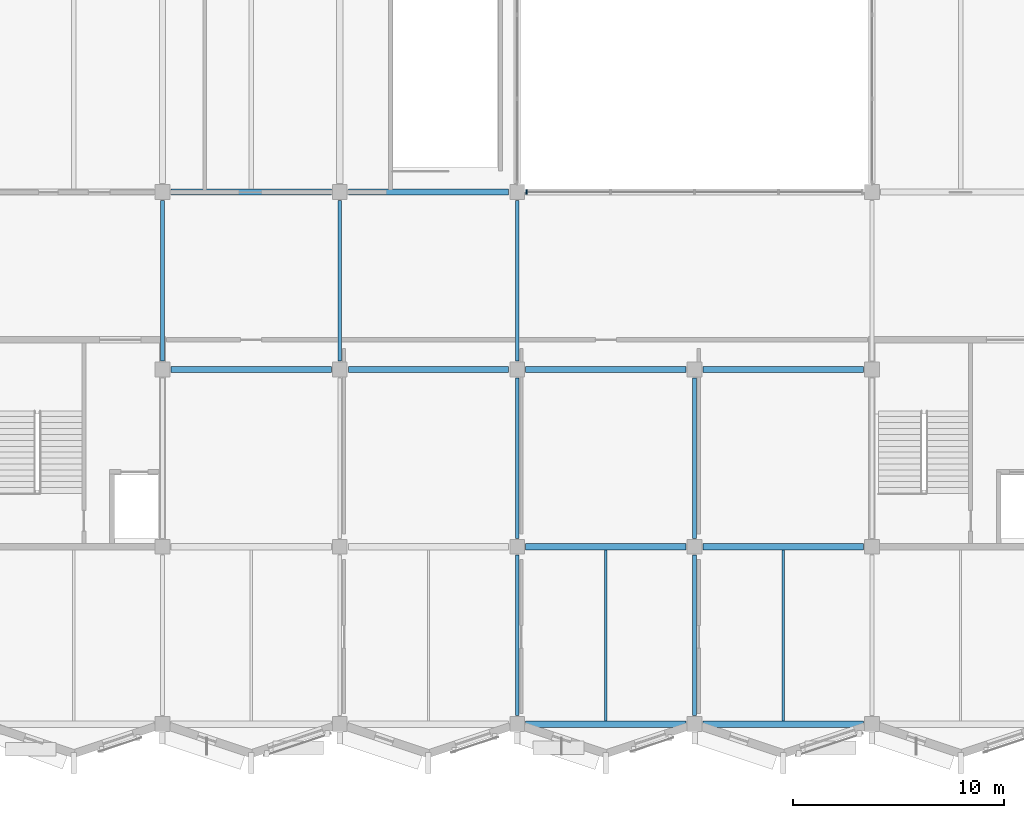
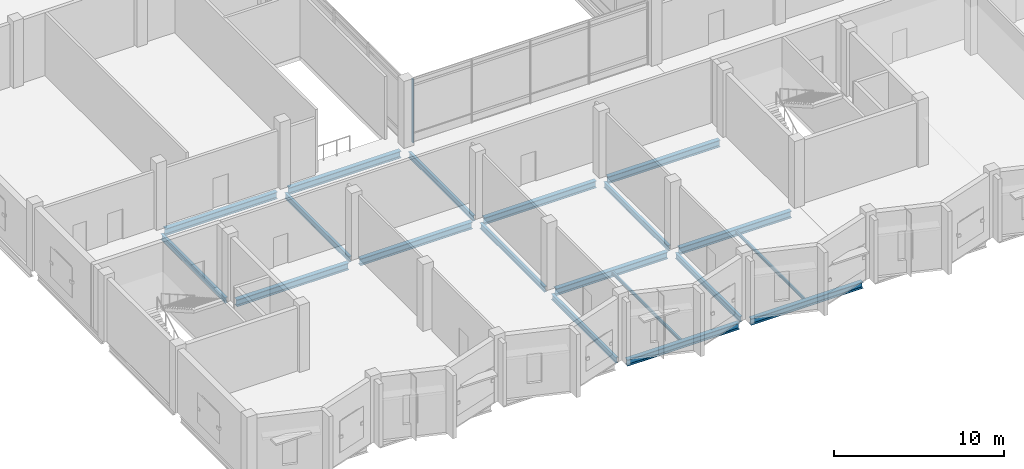
# One storey, part 2 of 110: 19 beams, 1 member, 1 element without a shape of its own.
"""IFC4 building model written with IfcOpenShell, lengths in metres."""

from ifc_helpers import new_model, si_unit, direction, frame, origin, origin_2d, place, context, subcontext, project, spatial, rectangle, i_section, extrude, material, layer, layer_set, material_profile, profile_set, type_object, element, aggregate, save


model = new_model("IFC4")

# Units and contexts
model_context = context("Model", 3, precision=1e-05, world=origin(), true_north=direction((0.0, 1.0)))
body_context = subcontext(model_context, "Body", "Model", "MODEL_VIEW")
ifc_project = project(units=[si_unit("LENGTHUNIT", "METRE"), si_unit("AREAUNIT", "SQUARE_METRE"), si_unit("VOLUMEUNIT", "CUBIC_METRE"), si_unit("PLANEANGLEUNIT", "RADIAN"), si_unit("MASSUNIT", "GRAM", prefix="KILO")], contexts=[model_context])

# Site, building, storey
site_placement = place(None, origin())
site = spatial("IfcSite", under=ifc_project, at=site_placement, CompositionType="ELEMENT")
building_placement = place(site_placement, origin())
building = spatial("IfcBuilding", under=site, at=building_placement, Name="Qawsi Khor Wholesale Market", CompositionType="ELEMENT")
storey_placement = place(building_placement, frame((0.0, 0.0, 11.39990234375)))
storey = spatial("IfcBuildingStorey", under=building, at=storey_placement, Name="L02", CompositionType="ELEMENT", Elevation=11.39990234375)

# Curtain wall, member
ifc_material_1 = material(Name="Aluminium Anodised Bronze", Category="aluminium")
ifc_layer = layer(ifc_material_1, 0.179931640625, Name="Aluminium Anodised Bronze")
ifc_layer_set = layer_set([ifc_layer], Name="Aluminium Anodised Bronze")
curtain_wall_type = type_object("IfcCurtainWallType", Name="Atrium Full-Height Curtain Wall CW-02", PredefinedType="NOTDEFINED", material=ifc_layer_set)
curtain_wall_placement = place(storey_placement, origin())
curtain_wall = element("IfcCurtainWall", 1, at=curtain_wall_placement, inside=storey, type_object=curtain_wall_type, Name="Curtain wall CW-CW-02-L02-021", PredefinedType="NOTDEFINED")
ifc_material_profile_1 = material_profile(ifc_material_1, rectangle(XDim=0.070068359375, YDim=0.199951171875, at=origin_2d()), Name="ALU MULLION 70x200")
ifc_profile_set_1 = profile_set([ifc_material_profile_1], Name="Aluminium Anodised Bronze")
member_type = type_object("IfcMemberType", Name="Curtain Wall Mullion CW-02 ALU MULLION 70x200", PredefinedType="MULLION", material=ifc_profile_set_1)
member_placement = place(storey_placement, frame((50.844970703125, 25.199951171875, -0.02001953125), z_axis=(0.0, 0.0, 1.0), x_axis=(1.0, 0.0, 0.0)))
member = element("IfcMember", 2, at=member_placement, type_object=member_type, Name="Mullion CW-CW-02-L02-021-M00", PredefinedType="MULLION", context=body_context, shape_type="SweptSolid", body=[
    extrude(rectangle(XDim=0.070068359375, YDim=0.199951171875, at=origin_2d()), origin(), (0.0, 0.0, 1.0), 4.5400390625),
])
aggregate(curtain_wall, [member])

# Beams
ifc_material_2 = material(Name="Steel S355", Category="steel")
ifc_material_profile_2 = material_profile(ifc_material_2, i_section(OverallWidth=0.300048828125, OverallDepth=0.449951171875, WebThickness=0.013916015625, FlangeThickness=0.02587890625, FilletRadius=0.027099609375, at=origin_2d()), Name="HEB 450")
ifc_profile_set_2 = profile_set([ifc_material_profile_2], Name="Steel S355")
beam_type_1 = type_object("IfcBeamType", Name="Heavy Edge Girder HEB 450", PredefinedType="BEAM", material=ifc_profile_set_2)
beam_1_placement = place(storey_placement, frame((50.800048828125, 0.0, -0.5048828125), z_axis=(1.0, 0.0, 0.0), x_axis=(0.0, 1.0, 0.0)))
element("IfcBeam", 3, at=beam_1_placement, inside=storey, type_object=beam_type_1, Name="BM-X-L02-06_+00", PredefinedType="BEAM", context=body_context, shape_type="SweptSolid", body=[
    extrude(i_section(OverallWidth=0.300048828125, OverallDepth=0.449951171875, WebThickness=0.013916015625, FlangeThickness=0.02587890625, FilletRadius=0.027099609375, at=origin_2d()), origin(), (0.0, 0.0, 1.0), 7.599853515625),
])
beam_2_placement = place(storey_placement, frame((59.199951171875, 0.0, -0.5048828125), z_axis=(1.0, 0.0, 0.0), x_axis=(0.0, 1.0, 0.0)))
element("IfcBeam", 4, at=beam_2_placement, inside=storey, type_object=beam_type_1, Name="BM-X-L02-07_+00", PredefinedType="BEAM", context=body_context, shape_type="SweptSolid", body=[
    extrude(i_section(OverallWidth=0.300048828125, OverallDepth=0.449951171875, WebThickness=0.013916015625, FlangeThickness=0.02587890625, FilletRadius=0.027099609375, at=origin_2d()), origin(), (0.0, 0.0, 1.0), 7.60009765625),
])
ifc_material_profile_3 = material_profile(ifc_material_2, i_section(OverallWidth=0.300048828125, OverallDepth=0.489990234375, WebThickness=0.011962890625, FlangeThickness=0.02294921875, FilletRadius=0.027099609375, at=origin_2d()), Name="HEA 500")
ifc_profile_set_3 = profile_set([ifc_material_profile_3], Name="Steel S355")
beam_type_2 = type_object("IfcBeamType", Name="Primary Girder HEA 500", PredefinedType="BEAM", material=ifc_profile_set_3)
for number, where, z_axis, x_axis, name in (
    (5, (34.0, 16.800048828125, -0.52490234375), (1.0, 0.0, 0.0), (0.0, 1.0, 0.0), "BM-X-L02-04_+02"),
    (6, (34.0, 25.199951171875, -0.52490234375), (1.0, 0.0, 0.0), (0.0, 1.0, 0.0), "BM-X-L02-04_+03"),
    (7, (42.39990234375, 16.800048828125, -0.52490234375), (1.0, 0.0, 0.0), (0.0, 1.0, 0.0), "BM-X-L02-05_+02"),
    (8, (42.39990234375, 25.199951171875, -0.52490234375), (1.0, 0.0, 0.0), (0.0, 1.0, 0.0), "BM-X-L02-05_+03"),
):
    element("IfcBeam", number, at=place(storey_placement, frame(where, z_axis=z_axis, x_axis=x_axis)), inside=storey, type_object=beam_type_2, Name=name, PredefinedType="BEAM", context=body_context, shape_type="SweptSolid", body=[
        extrude(i_section(OverallWidth=0.300048828125, OverallDepth=0.489990234375, WebThickness=0.011962890625, FlangeThickness=0.02294921875, FilletRadius=0.027099609375, at=origin_2d()), origin(), (0.0, 0.0, 1.0), 7.60009765625),
    ])
for number, where, z_axis, x_axis, name in (
    (9, (50.800048828125, 8.39990234375, -0.52490234375), (1.0, 0.0, 0.0), (0.0, 1.0, 0.0), "BM-X-L02-06_+01"),
    (10, (50.800048828125, 16.800048828125, -0.52490234375), (1.0, 0.0, 0.0), (0.0, 1.0, 0.0), "BM-X-L02-06_+02"),
):
    element("IfcBeam", number, at=place(storey_placement, frame(where, z_axis=z_axis, x_axis=x_axis)), inside=storey, type_object=beam_type_2, Name=name, PredefinedType="BEAM", context=body_context, shape_type="SweptSolid", body=[
        extrude(i_section(OverallWidth=0.300048828125, OverallDepth=0.489990234375, WebThickness=0.011962890625, FlangeThickness=0.02294921875, FilletRadius=0.027099609375, at=origin_2d()), origin(), (0.0, 0.0, 1.0), 7.599853515625),
    ])
for number, where, z_axis, x_axis, name in (
    (11, (59.199951171875, 8.39990234375, -0.52490234375), (1.0, 0.0, 0.0), (0.0, 1.0, 0.0), "BM-X-L02-07_+01"),
    (12, (59.199951171875, 16.800048828125, -0.52490234375), (1.0, 0.0, 0.0), (0.0, 1.0, 0.0), "BM-X-L02-07_+02"),
):
    element("IfcBeam", number, at=place(storey_placement, frame(where, z_axis=z_axis, x_axis=x_axis)), inside=storey, type_object=beam_type_2, Name=name, PredefinedType="BEAM", context=body_context, shape_type="SweptSolid", body=[
        extrude(i_section(OverallWidth=0.300048828125, OverallDepth=0.489990234375, WebThickness=0.011962890625, FlangeThickness=0.02294921875, FilletRadius=0.027099609375, at=origin_2d()), origin(), (0.0, 0.0, 1.0), 7.60009765625),
    ])
ifc_material_profile_4 = material_profile(ifc_material_2, i_section(OverallWidth=0.179931640625, OverallDepth=0.39990234375, WebThickness=0.008544921875, FlangeThickness=0.013427734375, FilletRadius=0.02099609375, at=origin_2d()), Name="IPE 400")
ifc_profile_set_4 = profile_set([ifc_material_profile_4], Name="Steel S355")
beam_type_3 = type_object("IfcBeamType", Name="Secondary Beam IPE 400", PredefinedType="BEAM", material=ifc_profile_set_4)
for number, where, z_axis, x_axis, name in (
    (13, (33.60009765625, 17.199951171875, -0.47998046875), (0.0, 1.0, 0.0), (-1.0, 0.0, 0.0), "BM-Y-L02-04_+02"),
    (14, (42.0, 17.199951171875, -0.47998046875), (0.0, 1.0, 0.0), (-1.0, 0.0, 0.0), "BM-Y-L02-05_+02"),
    (15, (50.39990234375, 0.39990234375, -0.47998046875), (0.0, 1.0, 0.0), (-1.0, 0.0, 0.0), "BM-Y-L02-06_+00"),
):
    element("IfcBeam", number, at=place(storey_placement, frame(where, z_axis=z_axis, x_axis=x_axis)), inside=storey, type_object=beam_type_3, Name=name, PredefinedType="BEAM", context=body_context, shape_type="SweptSolid", body=[
        extrude(i_section(OverallWidth=0.179931640625, OverallDepth=0.39990234375, WebThickness=0.008544921875, FlangeThickness=0.013427734375, FilletRadius=0.02099609375, at=origin_2d()), origin(), (0.0, 0.0, 1.0), 7.60009765625),
    ])
beam_3_placement = place(storey_placement, frame((50.39990234375, 8.800048828125, -0.47998046875), z_axis=(0.0, 1.0, 0.0), x_axis=(-1.0, 0.0, 0.0)))
element("IfcBeam", 16, at=beam_3_placement, inside=storey, type_object=beam_type_3, Name="BM-Y-L02-06_+01", PredefinedType="BEAM", context=body_context, shape_type="SweptSolid", body=[
    extrude(i_section(OverallWidth=0.179931640625, OverallDepth=0.39990234375, WebThickness=0.008544921875, FlangeThickness=0.013427734375, FilletRadius=0.02099609375, at=origin_2d()), origin(), (0.0, 0.0, 1.0), 7.599853515625),
])
for number, where, z_axis, x_axis, name in (
    (17, (50.39990234375, 17.199951171875, -0.47998046875), (0.0, 1.0, 0.0), (-1.0, 0.0, 0.0), "BM-Y-L02-06_+02"),
    (18, (58.800048828125, 0.39990234375, -0.47998046875), (0.0, 1.0, 0.0), (-1.0, 0.0, 0.0), "BM-Y-L02-07_+00"),
):
    element("IfcBeam", number, at=place(storey_placement, frame(where, z_axis=z_axis, x_axis=x_axis)), inside=storey, type_object=beam_type_3, Name=name, PredefinedType="BEAM", context=body_context, shape_type="SweptSolid", body=[
        extrude(i_section(OverallWidth=0.179931640625, OverallDepth=0.39990234375, WebThickness=0.008544921875, FlangeThickness=0.013427734375, FilletRadius=0.02099609375, at=origin_2d()), origin(), (0.0, 0.0, 1.0), 7.60009765625),
    ])
beam_4_placement = place(storey_placement, frame((58.800048828125, 8.800048828125, -0.47998046875), z_axis=(0.0, 1.0, 0.0), x_axis=(-1.0, 0.0, 0.0)))
element("IfcBeam", 19, at=beam_4_placement, inside=storey, type_object=beam_type_3, Name="BM-Y-L02-07_+01", PredefinedType="BEAM", context=body_context, shape_type="SweptSolid", body=[
    extrude(i_section(OverallWidth=0.179931640625, OverallDepth=0.39990234375, WebThickness=0.008544921875, FlangeThickness=0.013427734375, FilletRadius=0.02099609375, at=origin_2d()), origin(), (0.0, 0.0, 1.0), 7.599853515625),
])
ifc_material_profile_5 = material_profile(ifc_material_2, i_section(OverallWidth=0.110107421875, OverallDepth=0.219970703125, WebThickness=0.005859375, FlangeThickness=0.00927734375, FilletRadius=0.011962890625, at=origin_2d()), Name="IPE 220")
ifc_profile_set_5 = profile_set([ifc_material_profile_5], Name="Steel S355")
beam_type_4 = type_object("IfcBeamType", Name="Terrace Joist IPE 220", PredefinedType="JOIST", material=ifc_profile_set_5)
for number, where, z_axis, x_axis, name in (
    (20, (54.60009765625, 0.14990234375, -0.389892578125), (0.0, 1.0, 0.0), (-1.0, 0.0, 0.0), "JST-S-L02-06"),
    (21, (63.0, 0.14990234375, -0.389892578125), (0.0, 1.0, 0.0), (-1.0, 0.0, 0.0), "JST-S-L02-07"),
):
    element("IfcBeam", number, at=place(storey_placement, frame(where, z_axis=z_axis, x_axis=x_axis)), inside=storey, type_object=beam_type_4, Name=name, PredefinedType="JOIST", context=body_context, shape_type="SweptSolid", body=[
        extrude(i_section(OverallWidth=0.110107421875, OverallDepth=0.219970703125, WebThickness=0.005859375, FlangeThickness=0.00927734375, FilletRadius=0.011962890625, at=origin_2d()), origin(), (0.0, 0.0, 1.0), 8.10009765625),
    ])

save(model, "model.ifc")
